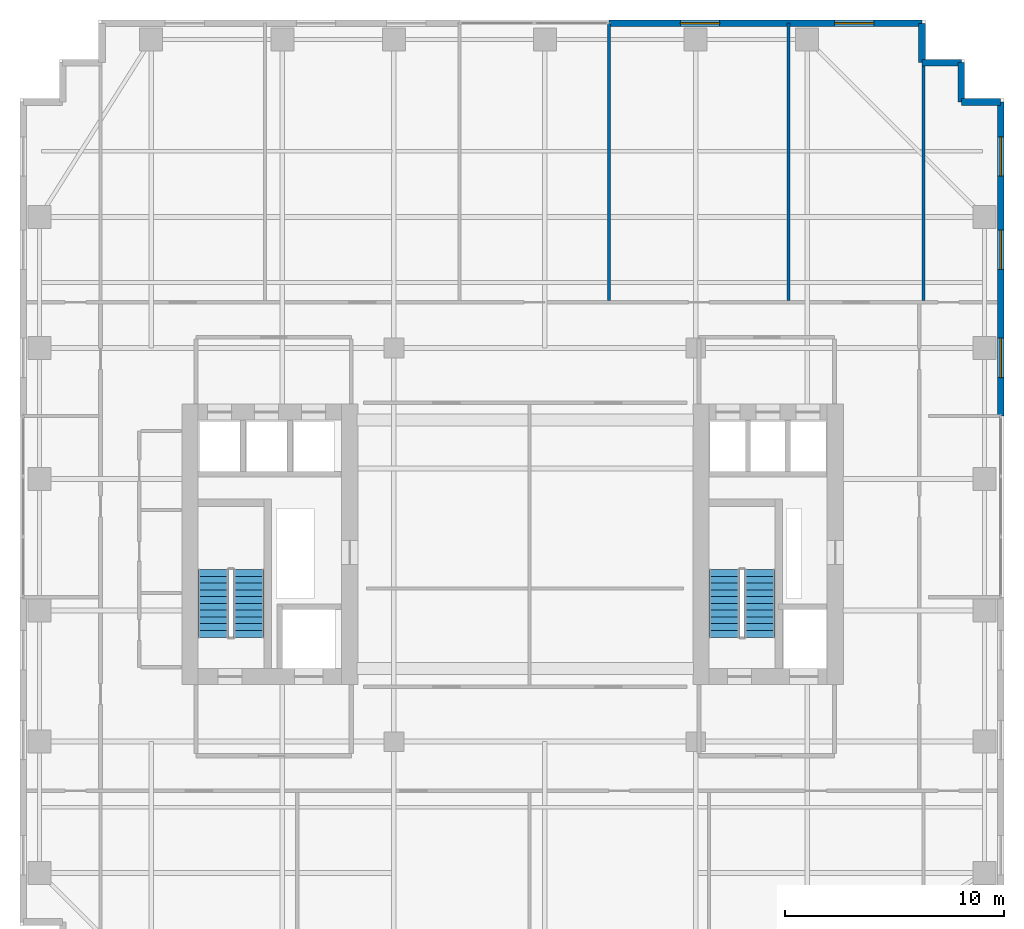
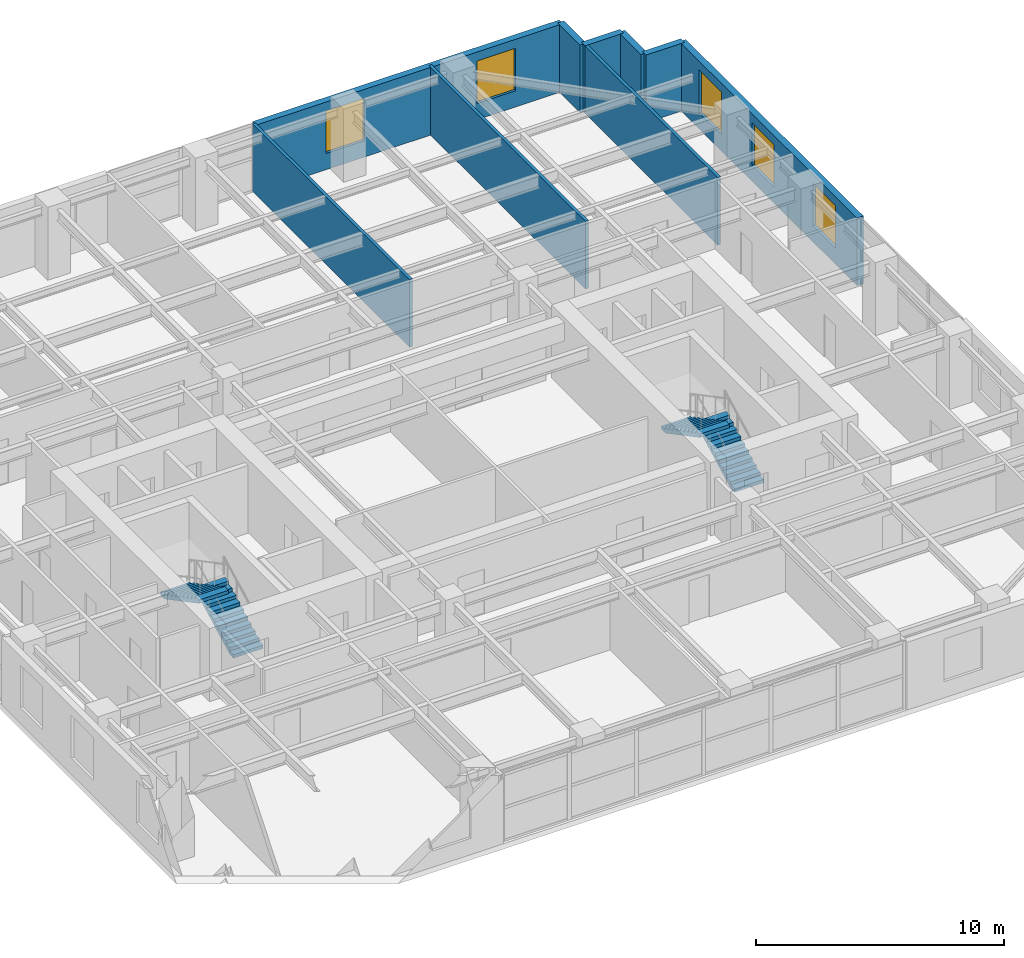
# One storey, part 17 of 18: 9 walls, 5 windows, 4 stair flights, 5 openings, 2 elements without a shape of their own.
"""IFC4 building model written with IfcOpenShell, lengths in metres."""

from ifc_helpers import new_model, si_unit, direction, frame, frame_2d, origin, place, context, subcontext, project, spatial, polyline, rectangle, outline, extrude, source, transform, mapped, material, layer, layer_set, type_object, element, fill, aggregate, save


model = new_model("IFC4")

# Units and contexts
model_context = context("Model", 3, precision=1e-05, world=origin(), true_north=direction((0.0, 1.0)))
body_context = subcontext(model_context, "Body", "Model", "MODEL_VIEW")
ifc_project = project(units=[si_unit("LENGTHUNIT", "METRE"), si_unit("AREAUNIT", "SQUARE_METRE"), si_unit("VOLUMEUNIT", "CUBIC_METRE"), si_unit("PLANEANGLEUNIT", "RADIAN"), si_unit("MASSUNIT", "GRAM", prefix="KILO")], contexts=[model_context])

# Site, building, storey
site_placement = place(None, origin())
site = spatial("IfcSite", under=ifc_project, at=site_placement, CompositionType="ELEMENT")
building_placement = place(site_placement, origin())
building = spatial("IfcBuilding", under=site, at=building_placement, Name="Khoralis Quay Care Tower", CompositionType="ELEMENT")
storey_placement = place(building_placement, frame((0.0, 0.0, 130.5)))
storey = spatial("IfcBuildingStorey", under=building, at=storey_placement, Name="L34", CompositionType="ELEMENT", Elevation=130.5)

# Wall, openings, windows
ifc_material_1 = material(Name="Precast concrete C45/55", Category="concrete")
ifc_layer_1 = layer(ifc_material_1, 0.300048828125)
ifc_layer_set_1 = layer_set([ifc_layer_1], Name="Precast concrete C45/55")
wall_type_1 = type_object("IfcWallType", Name="WL-EXT-REF-300", PredefinedType="SOLIDWALL", material=ifc_layer_set_1)
wall_1_placement = place(storey_placement, frame((44.85009765625, 26.89990234375, 0.0), z_axis=(0.0, 0.0, 1.0), x_axis=(0.0, 1.0, 0.0)))
wall_1 = element("IfcWall", 1, at=wall_1_placement, inside=storey, type_object=wall_type_1, Name="L34 External Facade Wall WL-EXT-L34-P1-E5B", PredefinedType="SOLIDWALL", context=body_context, shape_type="SweptSolid", body=[
    extrude(rectangle(XDim=14.35009765625, YDim=0.300048828125, at=frame_2d((7.175048828125, 0.0))), origin(), (0.0, 0.0, 1.0), 3.340087890625),
])
opening_1_placement = place(wall_1_placement, frame((1.75, 0.0, 0.800048828125)))
opening_1 = element("IfcOpeningElement", 2, at=opening_1_placement, cuts=wall_1, Name="Opening W2", PredefinedType="OPENING", context=body_context, shape_type="SweptSolid", body=[
    extrude(rectangle(XDim=1.800048828125, YDim=2.10009765625, at=frame_2d((0.89990234375, 1.050048828125))), frame((0.0, 0.16015625, 0.0), z_axis=(0.0, -1.0, 0.0), x_axis=(1.0, 0.0, 0.0)), (0.0, 0.0, 1.0), 0.320068359375),
])
opening_2_placement = place(wall_1_placement, frame((6.6923828125, 0.0, 0.800048828125)))
opening_2 = element("IfcOpeningElement", 3, at=opening_2_placement, cuts=wall_1, Name="Opening W2", PredefinedType="OPENING", context=body_context, shape_type="SweptSolid", body=[
    extrude(rectangle(XDim=1.800048828125, YDim=2.10009765625, at=frame_2d((0.89990234375, 1.050048828125))), frame((0.0, 0.16015625, 0.0), z_axis=(0.0, -1.0, 0.0), x_axis=(1.0, 0.0, 0.0)), (0.0, 0.0, 1.0), 0.320068359375),
])
opening_3_placement = place(wall_1_placement, frame((10.95751953125, 0.0, 0.800048828125)))
opening_3 = element("IfcOpeningElement", 4, at=opening_3_placement, cuts=wall_1, Name="Opening W2", PredefinedType="OPENING", context=body_context, shape_type="SweptSolid", body=[
    extrude(rectangle(XDim=1.800048828125, YDim=2.10009765625, at=frame_2d((0.89990234375, 1.050048828125))), frame((0.0, 0.16015625, 0.0), z_axis=(0.0, -1.0, 0.0), x_axis=(1.0, 0.0, 0.0)), (0.0, 0.0, 1.0), 0.320068359375),
])
ifc_material_2 = material(Name="Low-E solar-control double glazing", Category="glass")
window_type = type_object("IfcWindowType", Name="WN-POD-1800X2100", PartitioningType="SINGLE_PANEL", PredefinedType="WINDOW", material=ifc_material_2)
shared_shape_1 = source(origin(), body_context, "Body", "SweptSolid", [
    extrude(rectangle(XDim=1.800048828125, YDim=2.10009765625, at=frame_2d((0.89990234375, 1.050048828125))), frame((0.0, 0.030029296875, 0.0), z_axis=(0.0, -1.0, 0.0), x_axis=(1.0, 0.0, 0.0)), (0.0, 0.0, 1.0), 0.06005859375),
])
window_1_placement = place(opening_1_placement, origin())
window_1 = element("IfcWindow", 5, at=window_1_placement, inside=storey, type_object=window_type, Name="WN-L34-P1-E5B Facade Window 01", OverallHeight=2.10009765625, OverallWidth=1.800048828125, PartitioningType="SINGLE_PANEL", PredefinedType="WINDOW", context=body_context, shape_type="MappedRepresentation", body=[
    mapped(shared_shape_1, transform((0.0, 0.0, 0.0), scale=1.0)),
])
fill(opening_1, window_1)
window_2_placement = place(opening_2_placement, origin())
window_2 = element("IfcWindow", 6, at=window_2_placement, inside=storey, type_object=window_type, Name="WN-L34-P1-E5B Facade Window 02", OverallHeight=2.10009765625, OverallWidth=1.800048828125, PartitioningType="SINGLE_PANEL", PredefinedType="WINDOW", context=body_context, shape_type="MappedRepresentation", body=[
    mapped(shared_shape_1, transform((0.0, 0.0, 0.0), scale=1.0)),
])
fill(opening_2, window_2)
window_3_placement = place(opening_3_placement, origin())
window_3 = element("IfcWindow", 7, at=window_3_placement, inside=storey, type_object=window_type, Name="WN-L34-P1-E5B Facade Window 03", OverallHeight=2.10009765625, OverallWidth=1.800048828125, PartitioningType="SINGLE_PANEL", PredefinedType="WINDOW", context=body_context, shape_type="MappedRepresentation", body=[
    mapped(shared_shape_1, transform((0.0, 0.0, 0.0), scale=1.0)),
])
fill(opening_3, window_3)

# Walls
for number, where, z_axis, x_axis, name in (
    (8, (44.85009765625, 41.25, 0.0), (0.0, 0.0, 1.0), (-1.0, 0.0, 0.0), "L34 External Facade Wall WL-EXT-L34-P1-C6"),
    (9, (43.050048828125, 41.25, 0.0), (0.0, 0.0, 1.0), (0.0, 1.0, 0.0), "L34 External Facade Wall WL-EXT-L34-P1-C7"),
    (10, (43.050048828125, 43.050048828125, 0.0), (0.0, 0.0, 1.0), (-1.0, 0.0, 0.0), "L34 External Facade Wall WL-EXT-L34-P1-C8"),
    (11, (41.25, 43.050048828125, 0.0), (0.0, 0.0, 1.0), (0.0, 1.0, 0.0), "L34 External Facade Wall WL-EXT-L34-P1-C9"),
):
    element("IfcWall", number, at=place(storey_placement, frame(where, z_axis=z_axis, x_axis=x_axis)), inside=storey, type_object=wall_type_1, Name=name, PredefinedType="SOLIDWALL", context=body_context, shape_type="SweptSolid", body=[
        extrude(rectangle(XDim=1.800048828125, YDim=0.300048828125, at=frame_2d((0.89990234375, 0.0))), origin(), (0.0, 0.0, 1.0), 3.340087890625),
    ])

# Wall, openings, windows
wall_2_placement = place(storey_placement, frame((41.25, 44.85009765625, 0.0), z_axis=(0.0, 0.0, 1.0), x_axis=(-1.0, 0.0, 0.0)))
wall_2 = element("IfcWall", 12, at=wall_2_placement, inside=storey, type_object=wall_type_1, Name="L34 External Facade Wall WL-EXT-L34-P1-E10A", PredefinedType="SOLIDWALL", context=body_context, shape_type="SweptSolid", body=[
    extrude(rectangle(XDim=14.31005859375, YDim=0.300048828125, at=frame_2d((7.155029296875, 0.0))), origin(), (0.0, 0.0, 1.0), 3.340087890625),
])
opening_4_placement = place(wall_2_placement, frame((2.199951171875, 0.0, 0.800048828125)))
opening_4 = element("IfcOpeningElement", 13, at=opening_4_placement, cuts=wall_2, Name="Opening W2", PredefinedType="OPENING", context=body_context, shape_type="SweptSolid", body=[
    extrude(rectangle(XDim=1.800048828125, YDim=2.10009765625, at=frame_2d((0.89990234375, 1.050048828125))), frame((0.0, 0.16015625, 0.0), z_axis=(0.0, -1.0, 0.0), x_axis=(1.0, 0.0, 0.0)), (0.0, 0.0, 1.0), 0.320068359375),
])
opening_5_placement = place(wall_2_placement, frame((9.2548828125, 0.0, 0.800048828125)))
opening_5 = element("IfcOpeningElement", 14, at=opening_5_placement, cuts=wall_2, Name="Opening W2", PredefinedType="OPENING", context=body_context, shape_type="SweptSolid", body=[
    extrude(rectangle(XDim=1.800048828125, YDim=2.10009765625, at=frame_2d((0.89990234375, 1.050048828125))), frame((0.0, 0.16015625, 0.0), z_axis=(0.0, -1.0, 0.0), x_axis=(1.0, 0.0, 0.0)), (0.0, 0.0, 1.0), 0.320068359375),
])
window_4_placement = place(opening_4_placement, origin())
window_4 = element("IfcWindow", 15, at=window_4_placement, inside=storey, type_object=window_type, Name="WN-L34-P1-E10A Facade Window 01", OverallHeight=2.10009765625, OverallWidth=1.800048828125, PartitioningType="SINGLE_PANEL", PredefinedType="WINDOW", context=body_context, shape_type="MappedRepresentation", body=[
    mapped(shared_shape_1, transform((0.0, 0.0, 0.0), scale=1.0)),
])
fill(opening_4, window_4)
window_5_placement = place(opening_5_placement, origin())
window_5 = element("IfcWindow", 16, at=window_5_placement, inside=storey, type_object=window_type, Name="WN-L34-P1-E10A Facade Window 02", OverallHeight=2.10009765625, OverallWidth=1.800048828125, PartitioningType="SINGLE_PANEL", PredefinedType="WINDOW", context=body_context, shape_type="MappedRepresentation", body=[
    mapped(shared_shape_1, transform((0.0, 0.0, 0.0), scale=1.0)),
])
fill(opening_5, window_5)

# Walls
ifc_material_3 = material(Name="Gypsum plasterboard on acoustic metal stud")
ifc_layer_2 = layer(ifc_material_3, 0.139892578125)
ifc_layer_set_2 = layer_set([ifc_layer_2], Name="Gypsum plasterboard on acoustic metal stud")
wall_type_2 = type_object("IfcWallType", Name="WL-UNIT-140", PredefinedType="PARTITIONING", material=ifc_layer_set_2)
for number, where, z_axis, x_axis, name in (
    (17, (26.93994140625, 32.177490234375, 0.0), (0.0, 0.0, 1.0), (0.0, 1.0, 0.0), "L34 NB Demising Wall 3"),
    (18, (35.14990234375, 32.177490234375, 0.0), (0.0, 0.0, 1.0), (0.0, 1.0, 0.0), "L34 NB Demising Wall 4"),
):
    element("IfcWall", number, at=place(storey_placement, frame(where, z_axis=z_axis, x_axis=x_axis)), inside=storey, type_object=wall_type_2, Name=name, PredefinedType="PARTITIONING", context=body_context, shape_type="SweptSolid", body=[
        extrude(rectangle(XDim=12.677490234375, YDim=0.139892578125, at=frame_2d((6.3388671875, 0.0))), origin(), (0.0, 0.0, 1.0), 3.340087890625),
    ])
wall_3_placement = place(storey_placement, frame((41.320068359375, 32.177490234375, 0.0), z_axis=(0.0, 0.0, 1.0), x_axis=(0.0, 1.0, 0.0)))
element("IfcWall", 19, at=wall_3_placement, inside=storey, type_object=wall_type_2, Name="L34 NB Demising Wall 5", PredefinedType="PARTITIONING", context=body_context, shape_type="SweptSolid", body=[
    extrude(rectangle(XDim=10.87744140625, YDim=0.139892578125, at=frame_2d((5.438720703125, 0.0))), origin(), (0.0, 0.0, 1.0), 3.340087890625),
])

# Stair, stair flights
stair_type = type_object("IfcStairType", Name="ST-TWR-DOGLEG-1400", PredefinedType="HALF_TURN_STAIR", material=ifc_material_1)
stair_1_placement = place(storey_placement, origin())
stair_1 = element("IfcStair", 20, at=stair_1_placement, inside=storey, type_object=stair_type, Name="L34 West Core Exit Stair ST-T1", PredefinedType="HALF_TURN_STAIR")
stair_flight_type = type_object("IfcStairFlightType", Name="SF-TWR-1400", PredefinedType="STRAIGHT", material=ifc_material_1)
shared_shape_2 = source(origin(), body_context, "Body", "SweptSolid", [
    extrude(outline(polyline([(0.0, 0.0), (0.0, 0.16357421875), (0.31005859375, 0.16357421875), (0.31005859375, 0.327392578125), (0.6201171875, 0.327392578125), (0.6201171875, 0.490966796875), (0.929931640625, 0.490966796875), (0.929931640625, 0.654541015625), (1.239990234375, 0.654541015625), (1.239990234375, 0.818115234375), (1.550048828125, 0.818115234375), (1.550048828125, 0.98193359375), (1.860107421875, 0.98193359375), (1.860107421875, 1.1455078125), (2.169921875, 1.1455078125), (2.169921875, 1.30908203125), (2.47998046875, 1.30908203125), (2.47998046875, 1.47265625), (2.7900390625, 1.47265625), (2.7900390625, 1.636474609375), (3.10009765625, 1.636474609375), (3.10009765625, 1.800048828125), (3.10009765625, 1.466796875), (0.321044921875, 0.0), (0.0, 0.0)])), frame((0.0, 0.68994140625, 0.0), z_axis=(0.0, -1.0, 0.0), x_axis=(1.0, 0.0, 0.0)), (0.0, 0.0, 1.0), 1.3798828125),
])
stair_flight_1_placement = place(storey_placement, frame((10.4599609375, 16.77001953125, 0.0), z_axis=(0.0, 0.0, 1.0), x_axis=(0.0, 1.0, 0.0)))
stair_flight_1 = element("IfcStairFlight", 21, at=stair_flight_1_placement, type_object=stair_flight_type, Name="ST-T1 flight 1", NumberOfRisers=11, NumberOfTreads=10, PredefinedType="STRAIGHT", RiserHeight=0.163636364, TreadLength=0.31, context=body_context, shape_type="MappedRepresentation", body=[
    mapped(shared_shape_2, transform((0.0, 0.0, 0.0), scale=1.0)),
])
stair_flight_2_placement = place(storey_placement, frame((8.840087890625, 19.8701171875, 1.800048828125), z_axis=(0.0, 0.0, 1.0), x_axis=(0.0, -1.0, 0.0)))
stair_flight_2 = element("IfcStairFlight", 22, at=stair_flight_2_placement, type_object=stair_flight_type, Name="ST-T1 flight 2", NumberOfRisers=11, NumberOfTreads=10, PredefinedType="STRAIGHT", RiserHeight=0.163636364, TreadLength=0.31, context=body_context, shape_type="MappedRepresentation", body=[
    mapped(shared_shape_2, transform((0.0, 0.0, 0.0), scale=1.0)),
])
aggregate(stair_1, [stair_flight_1, stair_flight_2])

stair_2_placement = place(storey_placement, origin())
stair_2 = element("IfcStair", 23, at=stair_2_placement, inside=storey, type_object=stair_type, Name="L34 East Core Exit Stair ST-T2", PredefinedType="HALF_TURN_STAIR")
stair_flight_3_placement = place(storey_placement, frame((33.830078125, 16.77001953125, 0.0), z_axis=(0.0, 0.0, 1.0), x_axis=(0.0, 1.0, 0.0)))
stair_flight_3 = element("IfcStairFlight", 24, at=stair_flight_3_placement, type_object=stair_flight_type, Name="ST-T2 flight 1", NumberOfRisers=11, NumberOfTreads=10, PredefinedType="STRAIGHT", RiserHeight=0.163636364, TreadLength=0.31, context=body_context, shape_type="MappedRepresentation", body=[
    mapped(shared_shape_2, transform((0.0, 0.0, 0.0), scale=1.0)),
])
stair_flight_4_placement = place(storey_placement, frame((32.2099609375, 19.8701171875, 1.800048828125), z_axis=(0.0, 0.0, 1.0), x_axis=(0.0, -1.0, 0.0)))
stair_flight_4 = element("IfcStairFlight", 25, at=stair_flight_4_placement, type_object=stair_flight_type, Name="ST-T2 flight 2", NumberOfRisers=11, NumberOfTreads=10, PredefinedType="STRAIGHT", RiserHeight=0.163636364, TreadLength=0.31, context=body_context, shape_type="MappedRepresentation", body=[
    mapped(shared_shape_2, transform((0.0, 0.0, 0.0), scale=1.0)),
])
aggregate(stair_2, [stair_flight_3, stair_flight_4])

save(model, "model.ifc")
